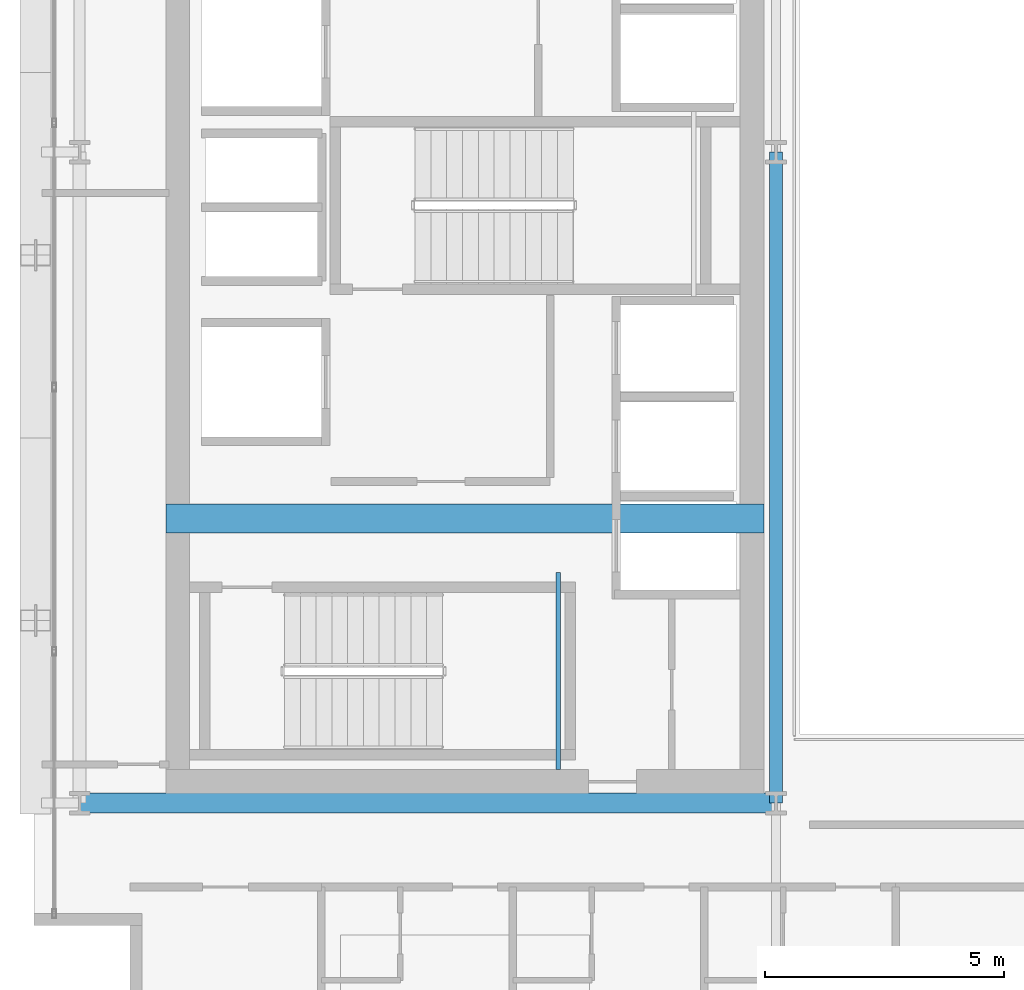
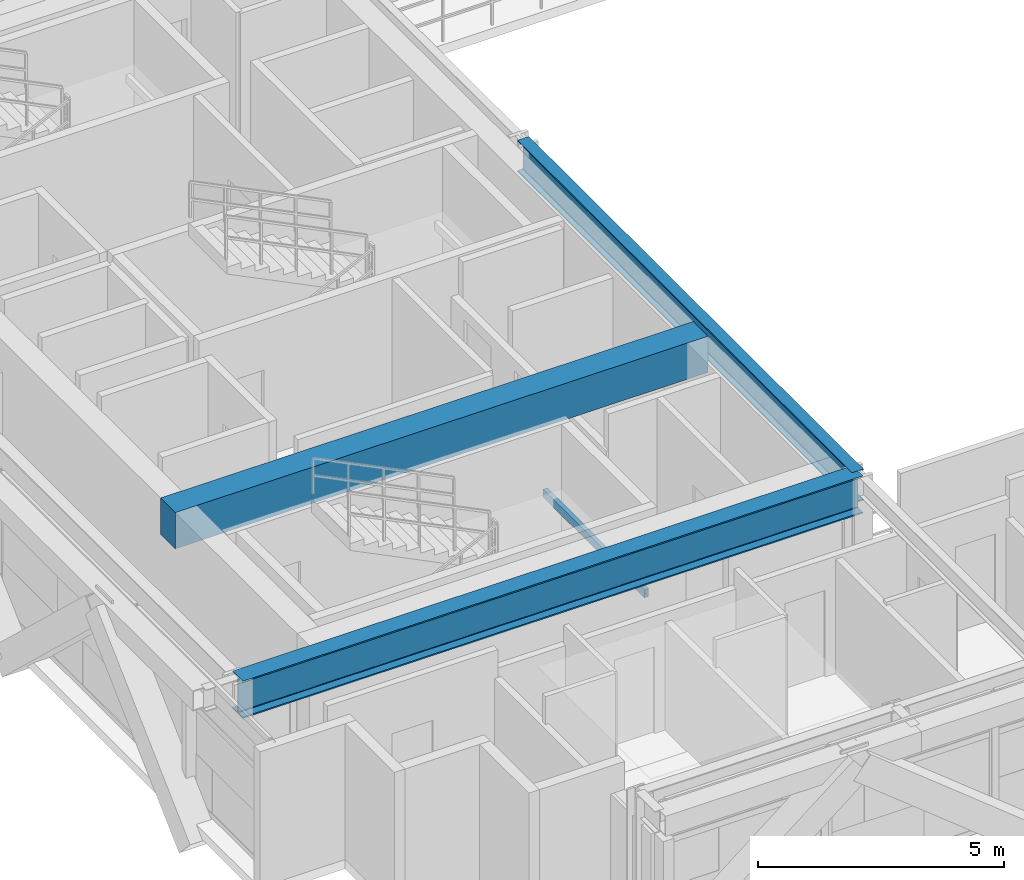
# One storey, part 5 of 32: 4 beams.
"""IFC4 building model written with IfcOpenShell, lengths in metres."""

import ifcopenshell
import ifcopenshell.guid

model = None  # the IFC model being written
_history = None  # IfcOwnerHistory: only IFC2X3 demands one
_inside = {}  # id of a spatial element -> (the spatial element, [elements in it])
_under = {}  # id of a project, library or spatial element -> (it, [spatial elements below it])
_declared = {}  # id of a project -> (the project, [libraries it declares])
_typed = {}  # id of a type object -> (the type object, [elements of that type])
_made_of = {}  # id of a material, layer set ... -> (it, [elements and type objects made of it])


def new_model(schema):
    """Start an empty IFC model of exactly this schema.

    Asked for "IFC4X3", IfcOpenShell would pick the latest addendum, in which some entities
    have other attributes; the version numbers below select the first issue.
    IFC2X3 requires an IfcOwnerHistory on every rooted entity: one is made here for all.
    """
    global model, _history
    if schema == "IFC4X3":
        model = ifcopenshell.file(schema_version=(4, 3, 0, 0))
    else:
        model = ifcopenshell.file(schema=schema)
    _inside.clear()
    _under.clear()
    _declared.clear()
    _typed.clear()
    _made_of.clear()
    _history = None
    if model.schema == "IFC2X3":
        org = make("IfcOrganization", Name="unknown")
        user = make(
            "IfcPersonAndOrganization",
            ThePerson=make("IfcPerson", FamilyName="unknown"),
            TheOrganization=org,
        )
        app = make(
            "IfcApplication",
            ApplicationDeveloper=org,
            Version="unknown",
            ApplicationFullName="unknown",
            ApplicationIdentifier="unknown",
        )
        _history = make(
            "IfcOwnerHistory",
            OwningUser=user,
            OwningApplication=app,
            ChangeAction="ADDED",
            CreationDate=0,
        )
    return model


def make(cls, **values):
    """One entity of the class cls with the attributes given. An attribute that is None is left unset."""
    return model.create_entity(
        cls, **{name: value for name, value in values.items() if value is not None}
    )


def rooted(cls, **values):
    """An entity with a GlobalId (a new one), such as an element, a storey or a relation."""
    return make(cls, GlobalId=ifcopenshell.guid.new(), OwnerHistory=_history, **values)


def si_unit(unit_type, name, prefix=None):
    """IfcSIUnit, for example si_unit("LENGTHUNIT", "METRE", prefix="MILLI")."""
    return make("IfcSIUnit", UnitType=unit_type, Prefix=prefix, Name=name)


def assignment(units):
    """IfcUnitAssignment: the units of a project."""
    return None if units is None else make("IfcUnitAssignment", Units=units)


def point(xyz):
    """IfcCartesianPoint."""
    return None if xyz is None else make("IfcCartesianPoint", Coordinates=xyz)


def direction(xyz):
    """IfcDirection."""
    return None if xyz is None else make("IfcDirection", DirectionRatios=xyz)


def frame(location, z_axis=None, x_axis=None):
    """IfcAxis2Placement3D, a coordinate frame: its origin and axes. An axis left out is left unset."""
    return make(
        "IfcAxis2Placement3D",
        Location=point(location),
        Axis=direction(z_axis),
        RefDirection=direction(x_axis),
    )


def frame_2d(location, x_axis=None):
    """IfcAxis2Placement2D, a coordinate frame in the plane: its origin and x axis."""
    return make(
        "IfcAxis2Placement2D", Location=point(location), RefDirection=direction(x_axis)
    )


def origin():
    """The frame at (0, 0, 0) with its axes left unset."""
    return frame((0.0, 0.0, 0.0))


def origin_2d():
    """The frame at (0, 0) in the plane with its x axis left unset."""
    return frame_2d((0.0, 0.0))


def place(relative_to, where):
    """IfcLocalPlacement: puts the frame where relative to a parent placement (None: the world)."""
    return make(
        "IfcLocalPlacement", PlacementRelTo=relative_to, RelativePlacement=where
    )


def context(
    kind, dimensions, precision=None, world=None, true_north=None, identifier=None
):
    """IfcGeometricRepresentationContext, for example the 3D "Model" context."""
    return make(
        "IfcGeometricRepresentationContext",
        ContextIdentifier=identifier,
        ContextType=kind,
        CoordinateSpaceDimension=dimensions,
        Precision=precision,
        WorldCoordinateSystem=world,
        TrueNorth=true_north,
    )


def subcontext(parent, identifier, kind, view, scale=None):
    """IfcGeometricRepresentationSubContext, for example "Body" below "Model"."""
    return make(
        "IfcGeometricRepresentationSubContext",
        ContextIdentifier=identifier,
        ContextType=kind,
        ParentContext=parent,
        TargetScale=scale,
        TargetView=view,
    )


def project(units=None, contexts=None):
    """IfcProject with its units and contexts."""
    return rooted(
        "IfcProject",
        Name="project",
        RepresentationContexts=contexts,
        UnitsInContext=assignment(units),
    )


def spatial(cls, under=None, at=None, **own):
    """A site, building, storey or space (cls), placed at a placement, below another one or the project."""
    s = rooted(cls, ObjectPlacement=at, **own)
    if under is not None:
        _under.setdefault(under.id(), (under, []))[1].append(s)
    return s


def profile(cls, at=None, kind="AREA", **sizes):
    """A parametric profile (cls). Its sizes go by their IFC names, for example OverallWidth=200.0."""
    return make(cls, ProfileType=kind, Position=at, **sizes)


def rectangle(**sizes):
    """IfcRectangleProfileDef."""
    return profile("IfcRectangleProfileDef", **sizes)


def hollow_rectangle(**sizes):
    """IfcRectangleHollowProfileDef."""
    return profile("IfcRectangleHollowProfileDef", **sizes)


def i_section(**sizes):
    """IfcIShapeProfileDef."""
    return profile("IfcIShapeProfileDef", **sizes)


def extrude(swept, where, along, depth):
    """IfcExtrudedAreaSolid: the profile swept, set in the frame where, extruded along a direction by depth."""
    return make(
        "IfcExtrudedAreaSolid",
        SweptArea=swept,
        Position=where,
        ExtrudedDirection=direction(along),
        Depth=depth,
    )


def shape(context_of_items, identifier, shape_type, items):
    """IfcShapeRepresentation: the items that make up one representation, for example the "Body"."""
    return make(
        "IfcShapeRepresentation",
        ContextOfItems=context_of_items,
        RepresentationIdentifier=identifier,
        RepresentationType=shape_type,
        Items=items,
    )


def source(mapping_origin, context_of_items, identifier, shape_type, items):
    """IfcRepresentationMap: a shape defined once, which mapped items show again and again."""
    return make(
        "IfcRepresentationMap",
        MappingOrigin=mapping_origin,
        MappedRepresentation=shape(context_of_items, identifier, shape_type, items),
    )


def transform(
    local_origin,
    x_axis=None,
    y_axis=None,
    z_axis=None,
    scale=None,
    scale2=None,
    scale3=None,
    uniform=True,
):
    """IfcCartesianTransformationOperator3D, or its non-uniform kind. x_axis, y_axis, z_axis: its Axis1, 2, 3."""
    if uniform:
        return make(
            "IfcCartesianTransformationOperator3D",
            Axis1=direction(x_axis),
            Axis2=direction(y_axis),
            LocalOrigin=point(local_origin),
            Scale=scale,
            Axis3=direction(z_axis),
        )
    return make(
        "IfcCartesianTransformationOperator3DnonUniform",
        Axis1=direction(x_axis),
        Axis2=direction(y_axis),
        LocalOrigin=point(local_origin),
        Scale=scale,
        Axis3=direction(z_axis),
        Scale2=scale2,
        Scale3=scale3,
    )


def mapped(mapping_source, mapping_target):
    """IfcMappedItem: shows the shape of a source again, moved by a transform."""
    return make(
        "IfcMappedItem", MappingSource=mapping_source, MappingTarget=mapping_target
    )


def material(Name=None, Category=None):
    """IfcMaterial."""
    return make("IfcMaterial", Name=Name, Category=Category)


def material_profile(
    of_material, cross_section, Name=None, Category=None, Priority=None
):
    """IfcMaterialProfile: a cross section and its material."""
    return make(
        "IfcMaterialProfile",
        Name=Name,
        Material=of_material,
        Profile=cross_section,
        Priority=Priority,
        Category=Category,
    )


def profile_set(profiles, Name=None, composite=None):
    """IfcMaterialProfileSet."""
    return make(
        "IfcMaterialProfileSet",
        Name=Name,
        MaterialProfiles=profiles,
        CompositeProfile=composite,
    )


def made_of(thing, what):
    """Note that an element or type object is made of a material, layer set ...; save() writes the relation."""
    if what is not None:
        _made_of.setdefault(what.id(), (what, []))[1].append(thing)
    return thing


def type_object(cls, material=None, **own):
    """A type object (cls), such as IfcWallType, which elements share."""
    return made_of(rooted(cls, **own), material)


def element(
    cls,
    number,
    at=None,
    inside=None,
    cuts=None,
    type_object=None,
    material=None,
    context=None,
    identifier="Body",
    shape_type=None,
    held_by="IfcProductDefinitionShape",
    body=None,
    shapes=None,
    **own,
):
    """One element of the class cls, such as IfcWall. Its Tag is "e" and its number.

    at: its placement. inside: the storey or other place that contains it. cuts: it is an
    opening in that element (IfcRelVoidsElement). A single representation is given by context,
    identifier, shape_type and body (its items); several are given by shapes. held_by: the class
    of the entity that holds the representations. save() writes the other relations.
    """
    e = rooted(cls, Tag="e%d" % number, ObjectPlacement=at, **own)
    if body is not None:
        shapes = [shape(context, identifier, shape_type, body)]
    if shapes is not None:
        e.Representation = make(held_by, Representations=shapes)
    if inside is not None:
        _inside.setdefault(inside.id(), (inside, []))[1].append(e)
    if cuts is not None:
        rooted(
            "IfcRelVoidsElement", RelatingBuildingElement=cuts, RelatedOpeningElement=e
        )
    if type_object is not None:
        _typed.setdefault(type_object.id(), (type_object, []))[1].append(e)
    return made_of(e, material)


def aggregate(whole, parts):
    """IfcRelAggregates: a whole, such as a stair, and the parts it consists of."""
    return rooted("IfcRelAggregates", RelatingObject=whole, RelatedObjects=parts)


def save(model, path):
    """Write the relations noted so far, then the file.

    IfcRelAggregates (storeys below a building ...), IfcRelContainedInSpatialStructure (elements
    in a storey), IfcRelDefinesByType, IfcRelAssociatesMaterial and IfcRelDeclares: one each for
    every whole, place, type object, material and project.
    """
    for whole, parts in _under.values():
        aggregate(whole, parts)
    for where, things in _inside.values():
        rooted(
            "IfcRelContainedInSpatialStructure",
            RelatedElements=things,
            RelatingStructure=where,
        )
    for kind, things in _typed.values():
        rooted("IfcRelDefinesByType", RelatedObjects=things, RelatingType=kind)
    for what, things in _made_of.values():
        rooted("IfcRelAssociatesMaterial", RelatedObjects=things, RelatingMaterial=what)
    for by, libraries in _declared.values():
        rooted("IfcRelDeclares", RelatingContext=by, RelatedDefinitions=libraries)
    model.write(path)


model = new_model("IFC4")

# Units and contexts
model_context = context("Model", 3, precision=1e-05, world=origin(), true_north=direction((0.0, 1.0)))
body_context = subcontext(model_context, "Body", "Model", "MODEL_VIEW")
ifc_project = project(units=[si_unit("LENGTHUNIT", "METRE"), si_unit("AREAUNIT", "SQUARE_METRE"), si_unit("VOLUMEUNIT", "CUBIC_METRE"), si_unit("PLANEANGLEUNIT", "RADIAN"), si_unit("MASSUNIT", "GRAM", prefix="KILO")], contexts=[model_context])

# Site, building, storey
site_placement = place(None, origin())
site = spatial("IfcSite", under=ifc_project, at=site_placement, CompositionType="ELEMENT")
building_placement = place(site_placement, origin())
building = spatial("IfcBuilding", under=site, at=building_placement, Name="Ocotamira Hotel", CompositionType="ELEMENT")
storey_placement = place(building_placement, frame((0.0, 0.0, 166.800048828125)))
storey = spatial("IfcBuildingStorey", under=building, at=storey_placement, Name="L41", CompositionType="ELEMENT", Elevation=166.800048828125)

# Beams
ifc_material_1 = material(Name="Concrete C50/60", Category="concrete")
ifc_material_profile_1 = material_profile(ifc_material_1, rectangle(XDim=0.60009765625, YDim=0.89990234375, at=origin_2d()), Name="RC600X900")
ifc_profile_set_1 = profile_set([ifc_material_profile_1], Name="Concrete C50/60")
beam_type_1 = type_object("IfcBeamType", Name="BM-LINK-RC600", PredefinedType="LINTEL", material=ifc_profile_set_1)
shared_shape_1 = source(origin(), body_context, "Body", "SweptSolid", [
    extrude(rectangle(XDim=0.60009765625, YDim=0.89990234375, at=origin_2d()), origin(), (0.0, 0.0, 1.0), 12.5),
])
beam_1_placement = place(storey_placement, frame((10.75, 20.5, 2.919921875), z_axis=(1.0, 0.0, 0.0), x_axis=(0.0, 1.0, 0.0)))
element("IfcBeam", 1, at=beam_1_placement, inside=storey, type_object=beam_type_1, Name="L41 West Core Coupling Beam", PredefinedType="LINTEL", context=body_context, shape_type="MappedRepresentation", body=[
    mapped(shared_shape_1, transform((0.0, 0.0, 0.0), scale=1.0)),
])
ifc_material_2 = material(Name="Steel ASTM A500 Grade C", Category="steel")
ifc_material_profile_2 = material_profile(ifc_material_2, hollow_rectangle(XDim=0.10009765625, YDim=0.199951171875, WallThickness=0.008056640625, at=origin_2d()), Name="HSS200X100X8")
ifc_profile_set_2 = profile_set([ifc_material_profile_2], Name="Steel ASTM A500 Grade C")
beam_type_2 = type_object("IfcBeamType", Name="BM-STLDG-HSS200", PredefinedType="BEAM", material=ifc_profile_set_2)
shared_shape_2 = source(origin(), body_context, "Body", "SweptSolid", [
    extrude(hollow_rectangle(XDim=0.10009765625, YDim=0.199951171875, WallThickness=0.008056640625, at=origin_2d()), origin(), (0.0, 0.0, 1.0), 4.1201171875),
])
beam_2_placement = place(storey_placement, frame((18.949951171875, 15.25, 1.5), z_axis=(0.0, 1.0, 0.0), x_axis=(-1.0, 0.0, 0.0)))
element("IfcBeam", 2, at=beam_2_placement, inside=storey, type_object=beam_type_2, Name="L41 Stair ST-1 Landing Bearer 1", PredefinedType="BEAM", context=body_context, shape_type="MappedRepresentation", body=[
    mapped(shared_shape_2, transform((0.0, 0.0, 0.0), scale=1.0)),
])
ifc_material_3 = material(Name="Steel ASTM A992 Grade 50", Category="steel")
ifc_material_profile_3 = material_profile(ifc_material_3, i_section(OverallWidth=0.41796875, OverallDepth=0.927001953125, WebThickness=0.019287109375, FlangeThickness=0.031982421875, FilletRadius=0.02392578125, at=origin_2d()), Name="W36X231")
ifc_profile_set_3 = profile_set([ifc_material_profile_3], Name="Steel ASTM A992 Grade 50")
beam_type_3 = type_object("IfcBeamType", Name="BM-GIRD-W36X231", PredefinedType="BEAM", material=ifc_profile_set_3)
shared_shape_3 = source(origin(), body_context, "Body", "SweptSolid", [
    extrude(i_section(OverallWidth=0.41796875, OverallDepth=0.927001953125, WebThickness=0.019287109375, FlangeThickness=0.031982421875, FilletRadius=0.02392578125, at=origin_2d()), origin(), (0.0, 0.0, 1.0), 14.550048828125),
])
beam_3_placement = place(storey_placement, frame((8.949951171875, 14.550048828125, 2.906494140625), z_axis=(1.0, 0.0, 0.0), x_axis=(0.0, 1.0, 0.0)))
element("IfcBeam", 3, at=beam_3_placement, inside=storey, type_object=beam_type_3, Name="L41 Girder Y14.55 X8.95-23.5", PredefinedType="BEAM", context=body_context, shape_type="MappedRepresentation", body=[
    mapped(shared_shape_3, transform((0.0, 0.0, 0.0), scale=1.0)),
])
ifc_material_profile_4 = material_profile(ifc_material_3, i_section(OverallWidth=0.26611328125, OverallDepth=0.779052734375, WebThickness=0.0166015625, FlangeThickness=0.030029296875, FilletRadius=0.01806640625, at=origin_2d()), Name="W30X148")
ifc_profile_set_4 = profile_set([ifc_material_profile_4], Name="Steel ASTM A992 Grade 50")
beam_type_4 = type_object("IfcBeamType", Name="BM-GIRD-W30X148", PredefinedType="BEAM", material=ifc_profile_set_4)
shared_shape_4 = source(origin(), body_context, "Body", "SweptSolid", [
    extrude(i_section(OverallWidth=0.26611328125, OverallDepth=0.779052734375, WebThickness=0.0166015625, FlangeThickness=0.030029296875, FilletRadius=0.01806640625, at=origin_2d()), origin(), (0.0, 0.0, 1.0), 13.599853515625),
])
beam_4_placement = place(storey_placement, frame((23.5, 14.550048828125, 2.98046875), z_axis=(0.0, 1.0, 0.0), x_axis=(-1.0, 0.0, 0.0)))
element("IfcBeam", 4, at=beam_4_placement, inside=storey, type_object=beam_type_4, Name="L41 Beam X23.5 Y14.55-28.15", PredefinedType="BEAM", context=body_context, shape_type="MappedRepresentation", body=[
    mapped(shared_shape_4, transform((0.0, 0.0, 0.0), scale=1.0)),
])

save(model, "model.ifc")
